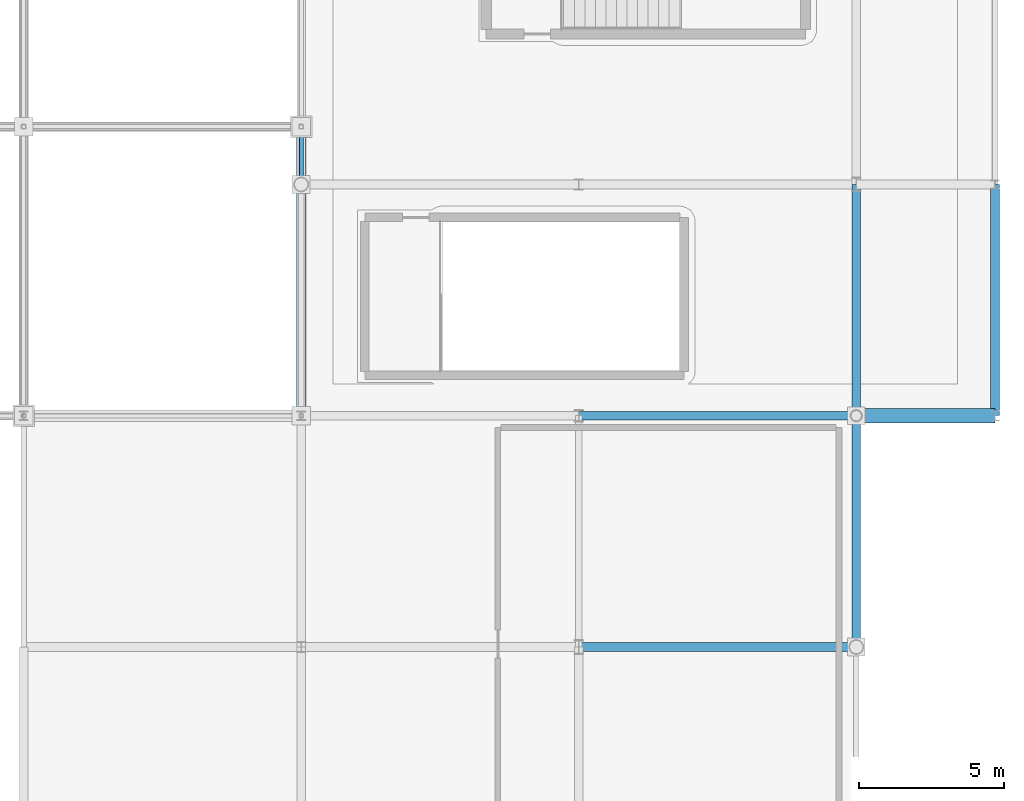
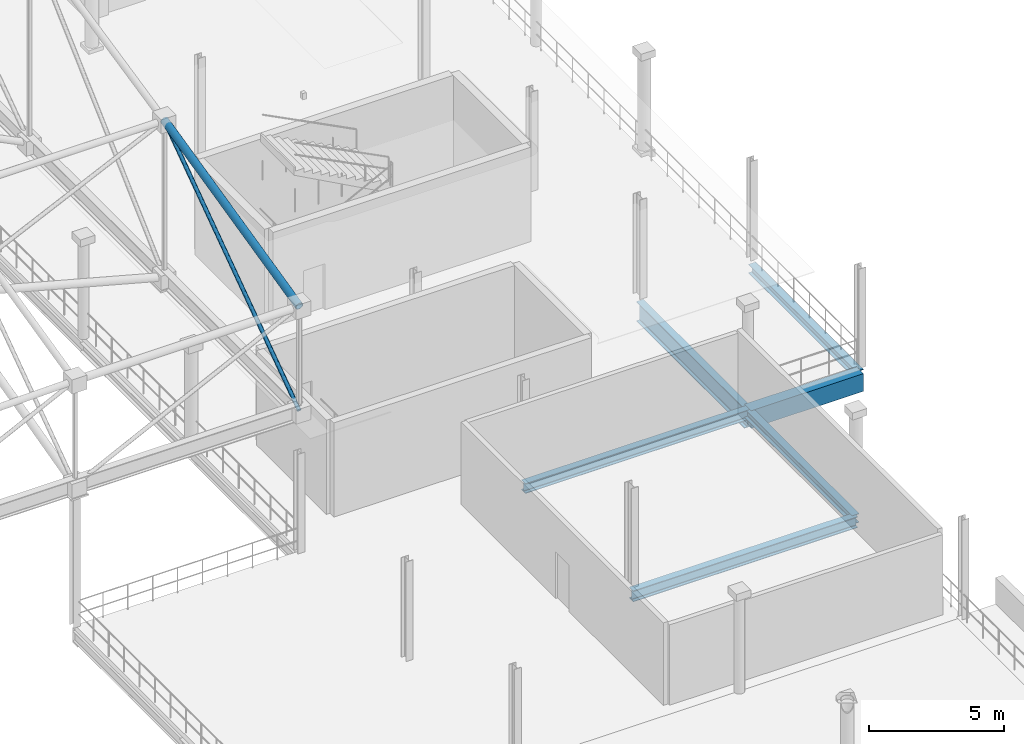
# One storey, part 85 of 193: 6 beams, 2 members.
"""IFC4 building model written with IfcOpenShell, lengths in metres."""

from ifc_helpers import new_model, si_unit, direction, frame, origin, origin_2d, place, context, subcontext, project, spatial, rectangle, hollow_circle, i_section, extrude, material, material_profile, profile_set, type_object, element, save


model = new_model("IFC4")

# Units and contexts
model_context = context("Model", 3, precision=1e-05, world=origin(), true_north=direction((0.0, 1.0)))
body_context = subcontext(model_context, "Body", "Model", "MODEL_VIEW")
ifc_project = project(units=[si_unit("LENGTHUNIT", "METRE"), si_unit("AREAUNIT", "SQUARE_METRE"), si_unit("VOLUMEUNIT", "CUBIC_METRE"), si_unit("PLANEANGLEUNIT", "RADIAN"), si_unit("MASSUNIT", "GRAM", prefix="KILO")], contexts=[model_context])

# Site, building, storey
site_placement = place(None, origin())
site = spatial("IfcSite", under=ifc_project, at=site_placement, CompositionType="ELEMENT")
building_placement = place(site_placement, origin())
building = spatial("IfcBuilding", under=site, at=building_placement, Name="Danafjord Basin Convention Centre", CompositionType="ELEMENT")
storey_placement = place(building_placement, frame((0.0, 0.0, 11.39990234375)))
storey = spatial("IfcBuildingStorey", under=building, at=storey_placement, Name="L02", CompositionType="ELEMENT", Elevation=11.39990234375)

# Beams
ifc_material_1 = material(Name="Steel S355", Category="steel")
ifc_material_profile_1 = material_profile(ifc_material_1, i_section(OverallWidth=0.300048828125, OverallDepth=0.449951171875, WebThickness=0.013916015625, FlangeThickness=0.02587890625, FilletRadius=0.027099609375, at=origin_2d()), Name="HEB 450")
ifc_profile_set_1 = profile_set([ifc_material_profile_1], Name="Steel S355")
beam_type_1 = type_object("IfcBeamType", Name="BEAM-BM-HEB450", PredefinedType="BEAM", material=ifc_profile_set_1)
beam_1_placement = place(storey_placement, frame((201.60009765625, 40.0, -0.454833984375), z_axis=(1.0, 0.0, 0.0), x_axis=(0.0, 1.0, 0.0)))
element("IfcBeam", 1, at=beam_1_placement, inside=storey, type_object=beam_type_1, Name="L02 girder BM-HEB450", PredefinedType="BEAM", context=body_context, shape_type="SweptSolid", body=[
    extrude(i_section(OverallWidth=0.300048828125, OverallDepth=0.449951171875, WebThickness=0.013916015625, FlangeThickness=0.02587890625, FilletRadius=0.027099609375, at=origin_2d()), origin(), (0.0, 0.0, 1.0), 9.599853515625),
])
ifc_material_profile_2 = material_profile(ifc_material_1, i_section(OverallWidth=0.300048828125, OverallDepth=0.5, WebThickness=0.014404296875, FlangeThickness=0.028076171875, FilletRadius=0.027099609375, at=origin_2d()), Name="HEB 500")
ifc_profile_set_2 = profile_set([ifc_material_profile_2], Name="Steel S355")
beam_type_2 = type_object("IfcBeamType", Name="BEAM-BM-HEB500", PredefinedType="BEAM", material=ifc_profile_set_2)
beam_2_placement = place(storey_placement, frame((201.60009765625, 32.0, -0.47998046875), z_axis=(1.0, 0.0, 0.0), x_axis=(0.0, 1.0, 0.0)))
element("IfcBeam", 2, at=beam_2_placement, inside=storey, type_object=beam_type_2, Name="L02 girder BM-HEB500", PredefinedType="BEAM", context=body_context, shape_type="SweptSolid", body=[
    extrude(i_section(OverallWidth=0.300048828125, OverallDepth=0.5, WebThickness=0.014404296875, FlangeThickness=0.028076171875, FilletRadius=0.027099609375, at=origin_2d()), origin(), (0.0, 0.0, 1.0), 9.599853515625),
])
ifc_material_profile_3 = material_profile(ifc_material_1, i_section(OverallWidth=0.300048828125, OverallDepth=0.89990234375, WebThickness=0.0185546875, FlangeThickness=0.034912109375, FilletRadius=0.030029296875, at=origin_2d()), Name="HEB 900")
ifc_profile_set_3 = profile_set([ifc_material_profile_3], Name="Steel S355")
beam_type_3 = type_object("IfcBeamType", Name="BEAM-BM-HEB900", PredefinedType="BEAM", material=ifc_profile_set_3)
beam_3_placement = place(storey_placement, frame((211.199951171875, 40.0, -0.679931640625), z_axis=(0.0, 1.0, 0.0), x_axis=(-1.0, 0.0, 0.0)))
element("IfcBeam", 3, at=beam_3_placement, inside=storey, type_object=beam_type_3, Name="L02 transverse girder BM-HEB900", PredefinedType="BEAM", context=body_context, shape_type="SweptSolid", body=[
    extrude(i_section(OverallWidth=0.300048828125, OverallDepth=0.89990234375, WebThickness=0.0185546875, FlangeThickness=0.034912109375, FilletRadius=0.030029296875, at=origin_2d()), origin(), (0.0, 0.0, 1.0), 8.0),
])
ifc_material_profile_4 = material_profile(ifc_material_1, i_section(OverallWidth=0.300048828125, OverallDepth=0.39990234375, WebThickness=0.013427734375, FlangeThickness=0.02392578125, FilletRadius=0.027099609375, at=origin_2d()), Name="HEB 400")
ifc_profile_set_4 = profile_set([ifc_material_profile_4], Name="Steel S355")
beam_type_4 = type_object("IfcBeamType", Name="BEAM-SP-HEB400", PredefinedType="SPANDREL", material=ifc_profile_set_4)
for number, where, z_axis, x_axis, name in (
    (4, (211.199951171875, 32.0, -0.429931640625), (0.0, 1.0, 0.0), (-1.0, 0.0, 0.0), "L02 transverse girder SP-HEB400"),
    (5, (216.0, 40.0, -0.429931640625), (0.0, 1.0, 0.0), (-1.0, 0.0, 0.0), "L02 transverse girder SP-HEB400"),
):
    element("IfcBeam", number, at=place(storey_placement, frame(where, z_axis=z_axis, x_axis=x_axis)), inside=storey, type_object=beam_type_4, Name=name, PredefinedType="SPANDREL", context=body_context, shape_type="SweptSolid", body=[
        extrude(i_section(OverallWidth=0.300048828125, OverallDepth=0.39990234375, WebThickness=0.013427734375, FlangeThickness=0.02392578125, FilletRadius=0.027099609375, at=origin_2d()), origin(), (0.0, 0.0, 1.0), 8.0),
    ])
ifc_material_2 = material(Name="Precast concrete C45/55", Category="concrete")
ifc_material_profile_5 = material_profile(ifc_material_2, rectangle(XDim=0.5, YDim=0.800048828125, at=origin_2d()), Name="PCB 500x800")
ifc_profile_set_5 = profile_set([ifc_material_profile_5], Name="Precast concrete C45/55")
beam_type_5 = type_object("IfcBeamType", Name="BEAM-SP-PCB800", PredefinedType="SPANDREL", material=ifc_profile_set_5)
beam_4_placement = place(storey_placement, frame((211.199951171875, 40.0, -0.6298828125), z_axis=(1.0, 0.0, 0.0), x_axis=(0.0, 1.0, 0.0)))
element("IfcBeam", 6, at=beam_4_placement, inside=storey, type_object=beam_type_5, Name="L02 girder SP-PCB800", PredefinedType="SPANDREL", context=body_context, shape_type="SweptSolid", body=[
    extrude(rectangle(XDim=0.5, YDim=0.800048828125, at=origin_2d()), origin(), (0.0, 0.0, 1.0), 4.800048828125),
])

# Members
ifc_material_profile_6 = material_profile(ifc_material_1, hollow_circle(Radius=0.161865234375, WallThickness=0.01611328125, at=origin_2d()), Name="CHS 323.9x16.0")
ifc_profile_set_6 = profile_set([ifc_material_profile_6], Name="Steel S355")
member_type_1 = type_object("IfcMemberType", Name="MEM-CH-CHS324", PredefinedType="CHORD", material=ifc_profile_set_6)
member_1_placement = place(storey_placement, frame((192.0, 40.0, 11.0751953125), z_axis=(0.0, 0.97342059664, 0.229024762935), x_axis=(-1.0, 0.0, 0.0)))
element("IfcMember", 7, at=member_1_placement, inside=storey, type_object=member_type_1, Name="V3 roof truss transverse top chord", PredefinedType="CHORD", context=body_context, shape_type="SweptSolid", body=[
    extrude(hollow_circle(Radius=0.161865234375, WallThickness=0.01611328125, at=origin_2d()), origin(), (0.0, 0.0, 1.0), 10.27294921875),
])
ifc_material_profile_7 = material_profile(ifc_material_1, hollow_circle(Radius=0.084228515625, WallThickness=0.008056640625, at=origin_2d()), Name="CHS 168.3x8.0")
ifc_profile_set_7 = profile_set([ifc_material_profile_7], Name="Steel S355")
member_type_2 = type_object("IfcMemberType", Name="MEM-WB-CHS168", PredefinedType="MEMBER", material=ifc_profile_set_7)
member_2_placement = place(storey_placement, frame((192.0, 40.0, 6.35009765625), z_axis=(0.0, 0.816234346661, 0.5777209459), x_axis=(-1.0, 0.0, 0.0)))
element("IfcMember", 8, at=member_2_placement, inside=storey, type_object=member_type_2, Name="V3 space-frame transverse web", PredefinedType="MEMBER", context=body_context, shape_type="SweptSolid", body=[
    extrude(hollow_circle(Radius=0.084228515625, WallThickness=0.008056640625, at=origin_2d()), origin(), (0.0, 0.0, 1.0), 12.25146484375),
])

save(model, "model.ifc")
